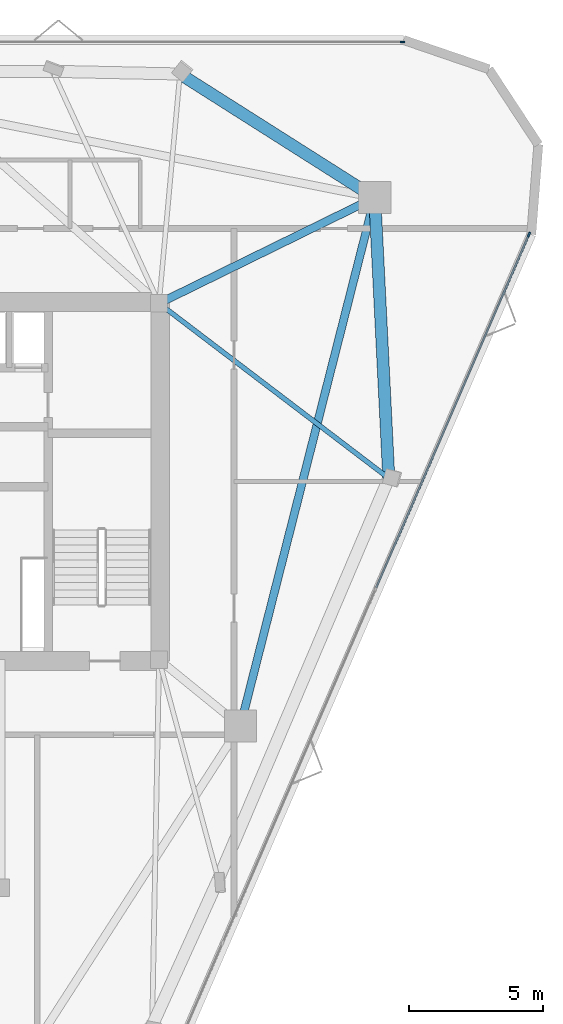
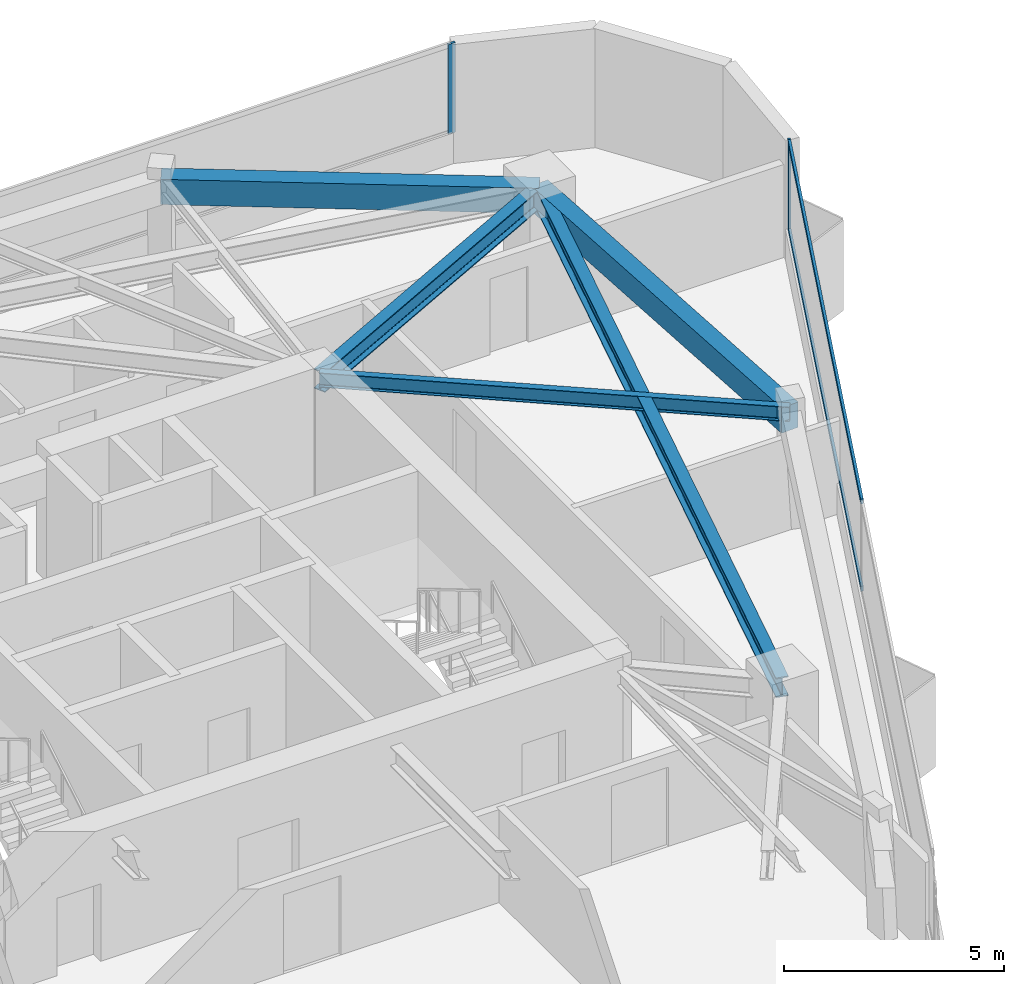
# One storey, part 7 of 11: 5 beams, 4 members, 2 elements without a shape of their own.
"""IFC4 building model written with IfcOpenShell, lengths in metres."""

from ifc_helpers import new_model, si_unit, direction, frame, origin, origin_2d, place, context, subcontext, project, spatial, rectangle, i_section, extrude, material, layer, layer_set, material_profile, profile_set, type_object, element, aggregate, save


model = new_model("IFC4")

# Units and contexts
model_context = context("Model", 3, precision=1e-05, world=origin(), true_north=direction((0.0, 1.0)))
body_context = subcontext(model_context, "Body", "Model", "MODEL_VIEW")
ifc_project = project(units=[si_unit("LENGTHUNIT", "METRE"), si_unit("AREAUNIT", "SQUARE_METRE"), si_unit("VOLUMEUNIT", "CUBIC_METRE"), si_unit("PLANEANGLEUNIT", "RADIAN"), si_unit("MASSUNIT", "GRAM", prefix="KILO")], contexts=[model_context])

# Site, building, storey
site_placement = place(None, origin())
site = spatial("IfcSite", under=ifc_project, at=site_placement, CompositionType="ELEMENT")
building_placement = place(site_placement, origin())
building = spatial("IfcBuilding", under=site, at=building_placement, Name="Talyreon Biosciences Tower", CompositionType="ELEMENT")
storey_placement = place(building_placement, frame((0.0, 0.0, 271.75)))
storey = spatial("IfcBuildingStorey", under=building, at=storey_placement, Name="L72", CompositionType="ELEMENT", Elevation=271.75)

# Curtain wall, member
ifc_material_1 = material(Name="Thermally broken aluminium and low-E glazing", Category="aluminium")
ifc_layer = layer(ifc_material_1, 0.175048828125)
ifc_layer_set = layer_set([ifc_layer], Name="Thermally broken aluminium and low-E glazing")
curtain_wall_type = type_object("IfcCurtainWallType", Name="CurtainWall_Zone5CompLab", PredefinedType="NOTDEFINED", material=ifc_layer_set)
curtain_wall_1_placement = place(storey_placement, origin())
curtain_wall_1 = element("IfcCurtainWall", 1, at=curtain_wall_1_placement, inside=storey, type_object=curtain_wall_type, Name="L72 Unitised Curtain Wall FCW-L72-04", PredefinedType="NOTDEFINED")
ifc_material_2 = material(Name="Anodised thermally broken aluminium", Category="aluminium")
ifc_material_profile_1 = material_profile(ifc_material_2, rectangle(XDim=0.06494140625, YDim=0.179931640625, at=origin_2d()), Name="ALUM MULLION 65x180")
ifc_profile_set_1 = profile_set([ifc_material_profile_1], Name="Anodised thermally broken aluminium")
member_type_1 = type_object("IfcMemberType", Name="CWMullion_65x180", PredefinedType="MULLION", material=ifc_profile_set_1)
member_1_placement = place(storey_placement, frame((83.140625, 84.404052734375, 0.81005859375), z_axis=(0.0, 0.0, 1.0), x_axis=(0.0, 1.0, 0.0)))
member_1 = element("IfcMember", 2, at=member_1_placement, type_object=member_type_1, Name="CW6 mullion 3", PredefinedType="MULLION", context=body_context, shape_type="SweptSolid", body=[
    extrude(rectangle(XDim=0.06494140625, YDim=0.179931640625, at=origin_2d()), origin(), (0.0, 0.0, 1.0), 2.489990234375),
])
aggregate(curtain_wall_1, [member_1])

# Curtain wall, members
curtain_wall_2_placement = place(storey_placement, origin())
curtain_wall_2 = element("IfcCurtainWall", 3, at=curtain_wall_2_placement, inside=storey, type_object=curtain_wall_type, Name="L72 Unitised Curtain Wall FCW-L72-08", PredefinedType="NOTDEFINED")
member_2_placement = place(storey_placement, frame((87.859619140625, 77.22216796875, 0.81005859375), z_axis=(0.0, 0.0, 1.0), x_axis=(0.917867616895, -0.396886681377, 0.0)))
member_2 = element("IfcMember", 4, at=member_2_placement, type_object=member_type_1, Name="CW6 mullion 1", PredefinedType="MULLION", context=body_context, shape_type="SweptSolid", body=[
    extrude(rectangle(XDim=0.06494140625, YDim=0.179931640625, at=origin_2d()), origin(), (0.0, 0.0, 1.0), 2.489990234375),
])
ifc_material_profile_2 = material_profile(ifc_material_2, rectangle(XDim=0.06494140625, YDim=0.139892578125, at=origin_2d()), Name="ALUM TRANSOM 65x140")
ifc_profile_set_2 = profile_set([ifc_material_profile_2], Name="Anodised thermally broken aluminium")
member_type_2 = type_object("IfcMemberType", Name="CWTransom_65x140", PredefinedType="USERDEFINED", material=ifc_profile_set_2)
member_3_placement = place(storey_placement, frame((87.846923828125, 77.1923828125, 0.842529296875), z_axis=(-0.396897569259, -0.91786290889, 0.0), x_axis=(0.91786290889, -0.396897569259, 0.0)))
member_3 = element("IfcMember", 5, at=member_3_placement, type_object=member_type_2, Name="CW6 transom 1.1", ObjectType="TRANSOM", PredefinedType="USERDEFINED", context=body_context, shape_type="SweptSolid", body=[
    extrude(rectangle(XDim=0.06494140625, YDim=0.139892578125, at=origin_2d()), origin(), (0.0, 0.0, 1.0), 14.32568359375),
])
member_4_placement = place(storey_placement, frame((87.846923828125, 77.1923828125, 3.267578125), z_axis=(-0.396897569259, -0.91786290889, 0.0), x_axis=(0.91786290889, -0.396897569259, 0.0)))
member_4 = element("IfcMember", 6, at=member_4_placement, type_object=member_type_2, Name="CW6 transom 1.2", ObjectType="TRANSOM", PredefinedType="USERDEFINED", context=body_context, shape_type="SweptSolid", body=[
    extrude(rectangle(XDim=0.06494140625, YDim=0.139892578125, at=origin_2d()), origin(), (0.0, 0.0, 1.0), 14.32568359375),
])
aggregate(curtain_wall_2, [member_2, member_3, member_4])

# Beams
ifc_material_3 = material(Name="Precast concrete C45/55", Category="concrete")
ifc_material_profile_3 = material_profile(ifc_material_3, rectangle(XDim=0.449951171875, YDim=0.699951171875, at=origin_2d()), Name="RCB 450x700")
ifc_profile_set_3 = profile_set([ifc_material_profile_3], Name="Precast concrete C45/55")
beam_type_1 = type_object("IfcBeamType", Name="ExpressedSpandrel_450x700", PredefinedType="SPANDREL", material=ifc_profile_set_3)
beam_1_placement = place(storey_placement, frame((82.6259765625, 68.12451171875, 2.949951171875), z_axis=(-0.049935294763, 0.998752454984, 0.0), x_axis=(-0.998752454984, -0.049935294763, 0.0)))
element("IfcBeam", 7, at=beam_1_placement, inside=storey, type_object=beam_type_1, Name="L72 Expressed Horizontal Concrete Spandrel 04", PredefinedType="SPANDREL", context=body_context, shape_type="SweptSolid", body=[
    extrude(rectangle(XDim=0.449951171875, YDim=0.699951171875, at=origin_2d()), origin(), (0.0, 0.0, 1.0), 10.4873046875),
])
beam_2_placement = place(storey_placement, frame((82.102294921875, 78.5986328125, 2.949951171875), z_axis=(-0.844357788085, 0.535779736179, 0.0), x_axis=(-0.535779736179, -0.844357788085, 0.0)))
element("IfcBeam", 8, at=beam_2_placement, inside=storey, type_object=beam_type_1, Name="L72 Expressed Horizontal Concrete Spandrel 05", PredefinedType="SPANDREL", context=body_context, shape_type="SweptSolid", body=[
    extrude(rectangle(XDim=0.449951171875, YDim=0.699951171875, at=origin_2d()), origin(), (0.0, 0.0, 1.0), 8.6103515625),
])
ifc_material_4 = material(Name="Steel SM355", Category="steel")
ifc_material_profile_4 = material_profile(ifc_material_4, i_section(OverallWidth=0.300048828125, OverallDepth=0.550048828125, WebThickness=0.014892578125, FlangeThickness=0.029052734375, FilletRadius=0.027099609375, at=origin_2d()), Name="HE550B")
ifc_profile_set_4 = profile_set([ifc_material_profile_4], Name="Steel SM355")
beam_type_2 = type_object("IfcBeamType", Name="SteelBeam_HE550B", PredefinedType="BEAM", material=ifc_profile_set_4)
beam_3_placement = place(storey_placement, frame((77.086181640625, 58.88037109375, 3.02490234375), z_axis=(0.246537082299, 0.969133358755, 0.0), x_axis=(-0.969133358755, 0.246537082299, 0.0)))
element("IfcBeam", 9, at=beam_3_placement, inside=storey, type_object=beam_type_2, Name="L72 Mega-Ring Girder 2", PredefinedType="BEAM", context=body_context, shape_type="SweptSolid", body=[
    extrude(i_section(OverallWidth=0.300048828125, OverallDepth=0.550048828125, WebThickness=0.014892578125, FlangeThickness=0.029052734375, FilletRadius=0.027099609375, at=origin_2d()), origin(), (0.0, 0.0, 1.0), 20.34619140625),
])
beam_4_placement = place(storey_placement, frame((74.050048828125, 74.64990234375, 3.02490234375), z_axis=(0.897852360314, 0.440296648952, 0.0), x_axis=(-0.440296648952, 0.897852360314, 0.0)))
element("IfcBeam", 10, at=beam_4_placement, inside=storey, type_object=beam_type_2, Name="L72 Radial Primary Girder 3", PredefinedType="BEAM", context=body_context, shape_type="SweptSolid", body=[
    extrude(i_section(OverallWidth=0.300048828125, OverallDepth=0.550048828125, WebThickness=0.014892578125, FlangeThickness=0.029052734375, FilletRadius=0.027099609375, at=origin_2d()), origin(), (0.0, 0.0, 1.0), 8.96826171875),
])
ifc_material_profile_5 = material_profile(ifc_material_4, i_section(OverallWidth=0.179931640625, OverallDepth=0.39990234375, WebThickness=0.008544921875, FlangeThickness=0.013427734375, FilletRadius=0.02099609375, at=origin_2d()), Name="IPE400")
ifc_profile_set_5 = profile_set([ifc_material_profile_5], Name="Steel SM355")
beam_type_3 = type_object("IfcBeamType", Name="SteelJoist_IPE400", PredefinedType="JOIST", material=ifc_profile_set_5)
beam_5_placement = place(storey_placement, frame((74.050048828125, 74.64990234375, 3.10009765625), z_axis=(0.795818488538, -0.6055352453, 0.0), x_axis=(0.6055352453, 0.795818488538, 0.0)))
element("IfcBeam", 11, at=beam_5_placement, inside=storey, type_object=beam_type_3, Name="L72 Radial Composite Floor Joist PC-SE2", PredefinedType="JOIST", context=body_context, shape_type="SweptSolid", body=[
    extrude(i_section(OverallWidth=0.179931640625, OverallDepth=0.39990234375, WebThickness=0.008544921875, FlangeThickness=0.013427734375, FilletRadius=0.02099609375, at=origin_2d()), origin(), (0.0, 0.0, 1.0), 10.776123046875),
])

save(model, "model.ifc")
